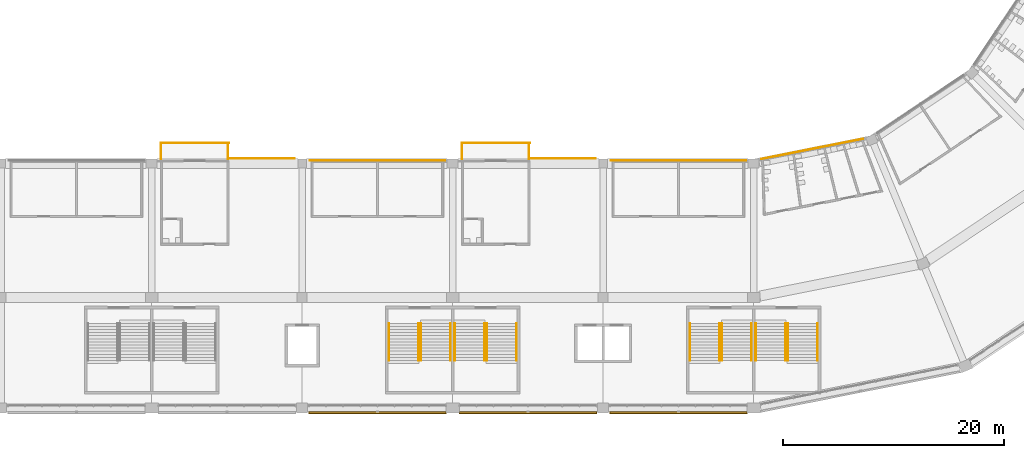
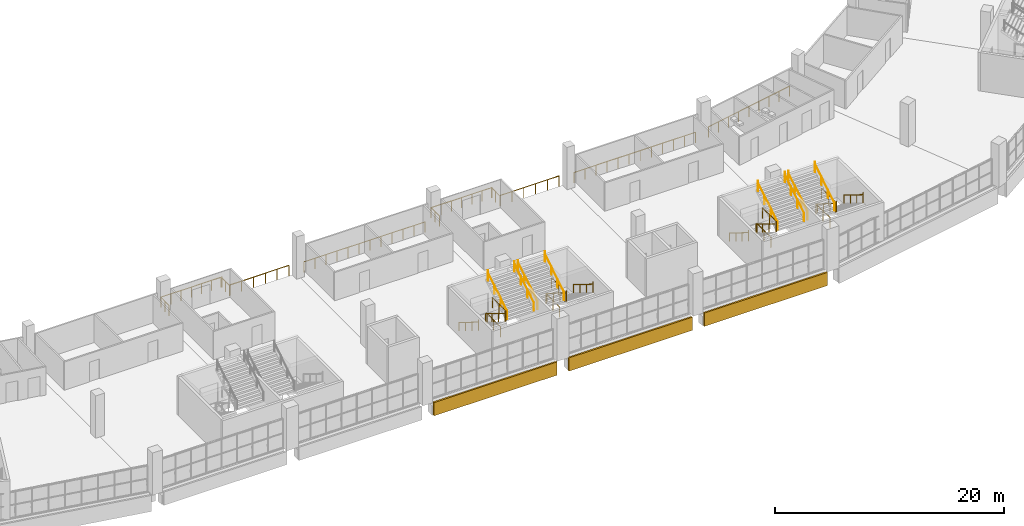
# One storey, part 185 of 199: 35 railings, 3 coverings.
"""IFC4 building model written with IfcOpenShell, lengths in metres."""

from ifc_helpers import new_model, si_unit, direction, frame, origin, origin_2d, place, context, subcontext, project, spatial, polyline, circle, outline, extrude, material, layer, layer_set, type_object, element, save


model = new_model("IFC4")

# Units and contexts
model_context = context("Model", 3, precision=1e-05, world=origin(), true_north=direction((0.0, 1.0)))
body_context = subcontext(model_context, "Body", "Model", "MODEL_VIEW")
ifc_project = project(units=[si_unit("LENGTHUNIT", "METRE"), si_unit("AREAUNIT", "SQUARE_METRE"), si_unit("VOLUMEUNIT", "CUBIC_METRE"), si_unit("PLANEANGLEUNIT", "RADIAN"), si_unit("MASSUNIT", "GRAM", prefix="KILO")], contexts=[model_context])

# Site, building, storey
site_placement = place(None, origin())
site = spatial("IfcSite", under=ifc_project, at=site_placement, CompositionType="ELEMENT")
building_placement = place(site_placement, origin())
building = spatial("IfcBuilding", under=site, at=building_placement, Name="Ogive Plaza Stadium", CompositionType="ELEMENT")
storey_placement = place(building_placement, frame((0.0, 0.0, 9.0)))
storey = spatial("IfcBuildingStorey", under=building, at=storey_placement, Name="L02", CompositionType="ELEMENT", Elevation=9.0)

# Railings
ifc_material_1 = material(Name="Steel ASTM A572 Grade 50", Category="steel")
railing_type_1 = type_object("IfcRailingType", Name="Guard 1100", PredefinedType="GUARDRAIL", material=ifc_material_1)
for number, where, name in (
    (1, (31.02490234375, -94.85009765625, 0.0), "Stair well guard ST12A L02"),
    (2, (31.02490234375, -95.81005859375, 2.25), "Stair well guard ST12A L02"),
    (3, (36.97509765625, -94.85009765625, 0.0), "Stair well guard ST12B L02"),
    (4, (36.97509765625, -95.81005859375, 2.25), "Stair well guard ST12B L02"),
    (5, (3.824951171875, -94.85009765625, 0.0), "Stair well guard ST14A L02"),
    (6, (3.824951171875, -95.81005859375, 2.25), "Stair well guard ST14A L02"),
    (7, (9.77490234375, -94.85009765625, 0.0), "Stair well guard ST14B L02"),
    (8, (9.77490234375, -95.81005859375, 2.25), "Stair well guard ST14B L02"),
):
    element("IfcRailing", number, at=place(storey_placement, frame(where)), inside=storey, type_object=railing_type_1, Name=name, PredefinedType="GUARDRAIL", context=body_context, shape_type="SweptSolid", body=[
        extrude(circle(Radius=0.02392578125, at=origin_2d()), frame((0.0, 0.0, 1.076171875), z_axis=(0.0, -1.0, 0.0), x_axis=(1.0, 0.0, 0.0)), (0.0, 0.0, 1.0), 2.39990234375),
        extrude(circle(Radius=0.02099609375, at=origin_2d()), origin(), (0.0, 0.0, 1.0), 1.052001953125),
        extrude(circle(Radius=0.02099609375, at=origin_2d()), frame((0.0, -1.199951171875, 0.0)), (0.0, 0.0, 1.0), 1.052001953125),
        extrude(circle(Radius=0.02099609375, at=origin_2d()), frame((0.0, -2.39990234375, 0.0)), (0.0, 0.0, 1.0), 1.052001953125),
    ])
railing_1_placement = place(storey_placement, frame((43.89453125, -78.181884765625, 0.0)))
element("IfcRailing", 9, at=railing_1_placement, inside=storey, type_object=railing_type_1, Name="Guard L02 B11", PredefinedType="GUARDRAIL", context=body_context, shape_type="SweptSolid", body=[
    extrude(circle(Radius=0.02392578125, at=origin_2d()), frame((0.0, 0.0, 1.076171875), z_axis=(-0.980786170296, -0.19508584817, 0.0), x_axis=(0.19508584817, -0.980786170296, 0.0)), (0.0, 0.0, 1.0), 9.388427734375),
    extrude(circle(Radius=0.02099609375, at=origin_2d()), origin(), (0.0, 0.0, 1.0), 1.052001953125),
    extrude(circle(Radius=0.02099609375, at=origin_2d()), frame((-1.15087890625, -0.22900390625, 0.0)), (0.0, 0.0, 1.0), 1.052001953125),
    extrude(circle(Radius=0.02099609375, at=origin_2d()), frame((-2.302001953125, -0.4580078125, 0.0)), (0.0, 0.0, 1.0), 1.052001953125),
    extrude(circle(Radius=0.02099609375, at=origin_2d()), frame((-3.453125, -0.686767578125, 0.0)), (0.0, 0.0, 1.0), 1.052001953125),
    extrude(circle(Radius=0.02099609375, at=origin_2d()), frame((-4.60400390625, -0.915771484375, 0.0)), (0.0, 0.0, 1.0), 1.052001953125),
    extrude(circle(Radius=0.02099609375, at=origin_2d()), frame((-5.7548828125, -1.144775390625, 0.0)), (0.0, 0.0, 1.0), 1.052001953125),
    extrude(circle(Radius=0.02099609375, at=origin_2d()), frame((-6.906005859375, -1.37353515625, 0.0)), (0.0, 0.0, 1.0), 1.052001953125),
    extrude(circle(Radius=0.02099609375, at=origin_2d()), frame((-8.05712890625, -1.6025390625, 0.0)), (0.0, 0.0, 1.0), 1.052001953125),
    extrude(circle(Radius=0.02099609375, at=origin_2d()), frame((-9.2080078125, -1.83154296875, 0.0)), (0.0, 0.0, 1.0), 1.052001953125),
])
railing_2_placement = place(storey_placement, frame((33.300048828125, -80.14990234375, 0.0)))
element("IfcRailing", 10, at=railing_2_placement, inside=storey, type_object=railing_type_1, Name="Guard L02 B12", PredefinedType="GUARDRAIL", context=body_context, shape_type="SweptSolid", body=[
    extrude(circle(Radius=0.02392578125, at=origin_2d()), frame((0.0, 0.0, 1.076171875), z_axis=(-1.0, 0.0, 0.0), x_axis=(0.0, -1.0, 0.0)), (0.0, 0.0, 1.0), 12.199951171875),
    extrude(circle(Radius=0.02099609375, at=origin_2d()), origin(), (0.0, 0.0, 1.0), 1.052001953125),
    extrude(circle(Radius=0.02099609375, at=origin_2d()), frame((-1.109130859375, 0.0, 0.0)), (0.0, 0.0, 1.0), 1.052001953125),
    extrude(circle(Radius=0.02099609375, at=origin_2d()), frame((-2.21826171875, 0.0, 0.0)), (0.0, 0.0, 1.0), 1.052001953125),
    extrude(circle(Radius=0.02099609375, at=origin_2d()), frame((-3.3271484375, 0.0, 0.0)), (0.0, 0.0, 1.0), 1.052001953125),
    extrude(circle(Radius=0.02099609375, at=origin_2d()), frame((-4.436279296875, 0.0, 0.0)), (0.0, 0.0, 1.0), 1.052001953125),
    extrude(circle(Radius=0.02099609375, at=origin_2d()), frame((-5.54541015625, 0.0, 0.0)), (0.0, 0.0, 1.0), 1.052001953125),
    extrude(circle(Radius=0.02099609375, at=origin_2d()), frame((-6.654541015625, 0.0, 0.0)), (0.0, 0.0, 1.0), 1.052001953125),
    extrude(circle(Radius=0.02099609375, at=origin_2d()), frame((-7.763671875, 0.0, 0.0)), (0.0, 0.0, 1.0), 1.052001953125),
    extrude(circle(Radius=0.02099609375, at=origin_2d()), frame((-8.872802734375, 0.0, 0.0)), (0.0, 0.0, 1.0), 1.052001953125),
    extrude(circle(Radius=0.02099609375, at=origin_2d()), frame((-9.981689453125, 0.0, 0.0)), (0.0, 0.0, 1.0), 1.052001953125),
    extrude(circle(Radius=0.02099609375, at=origin_2d()), frame((-11.0908203125, 0.0, 0.0)), (0.0, 0.0, 1.0), 1.052001953125),
    extrude(circle(Radius=0.02099609375, at=origin_2d()), frame((-12.199951171875, 0.0, 0.0)), (0.0, 0.0, 1.0), 1.052001953125),
])
railing_3_placement = place(storey_placement, frame((6.10009765625, -80.14990234375, 0.0)))
element("IfcRailing", 11, at=railing_3_placement, inside=storey, type_object=railing_type_1, Name="Guard L02 B14", PredefinedType="GUARDRAIL", context=body_context, shape_type="SweptSolid", body=[
    extrude(circle(Radius=0.02392578125, at=origin_2d()), frame((0.0, 0.0, 1.076171875), z_axis=(-1.0, 0.0, 0.0), x_axis=(0.0, -1.0, 0.0)), (0.0, 0.0, 1.0), 12.2001953125),
    extrude(circle(Radius=0.02099609375, at=origin_2d()), origin(), (0.0, 0.0, 1.0), 1.052001953125),
    extrude(circle(Radius=0.02099609375, at=origin_2d()), frame((-1.109130859375, 0.0, 0.0)), (0.0, 0.0, 1.0), 1.052001953125),
    extrude(circle(Radius=0.02099609375, at=origin_2d()), frame((-2.21826171875, 0.0, 0.0)), (0.0, 0.0, 1.0), 1.052001953125),
    extrude(circle(Radius=0.02099609375, at=origin_2d()), frame((-3.327392578125, 0.0, 0.0)), (0.0, 0.0, 1.0), 1.052001953125),
    extrude(circle(Radius=0.02099609375, at=origin_2d()), frame((-4.4365234375, 0.0, 0.0)), (0.0, 0.0, 1.0), 1.052001953125),
    extrude(circle(Radius=0.02099609375, at=origin_2d()), frame((-5.545654296875, 0.0, 0.0)), (0.0, 0.0, 1.0), 1.052001953125),
    extrude(circle(Radius=0.02099609375, at=origin_2d()), frame((-6.654541015625, 0.0, 0.0)), (0.0, 0.0, 1.0), 1.052001953125),
    extrude(circle(Radius=0.02099609375, at=origin_2d()), frame((-7.763671875, 0.0, 0.0)), (0.0, 0.0, 1.0), 1.052001953125),
    extrude(circle(Radius=0.02099609375, at=origin_2d()), frame((-8.872802734375, 0.0, 0.0)), (0.0, 0.0, 1.0), 1.052001953125),
    extrude(circle(Radius=0.02099609375, at=origin_2d()), frame((-9.98193359375, 0.0, 0.0)), (0.0, 0.0, 1.0), 1.052001953125),
    extrude(circle(Radius=0.02099609375, at=origin_2d()), frame((-11.091064453125, 0.0, 0.0)), (0.0, 0.0, 1.0), 1.052001953125),
    extrude(circle(Radius=0.02099609375, at=origin_2d()), frame((-12.2001953125, 0.0, 0.0)), (0.0, 0.0, 1.0), 1.052001953125),
])
railing_4_placement = place(storey_placement, frame((7.625, -78.550048828125, 0.0)))
element("IfcRailing", 12, at=railing_4_placement, inside=storey, type_object=railing_type_1, Name="Terrace guard B13", PredefinedType="GUARDRAIL", context=body_context, shape_type="SweptSolid", body=[
    extrude(circle(Radius=0.02392578125, at=origin_2d()), frame((0.0, 0.0, 1.076171875), z_axis=(1.0, 0.0, 0.0), x_axis=(0.0, 1.0, 0.0)), (0.0, 0.0, 1.0), 6.14990234375),
    extrude(circle(Radius=0.02099609375, at=origin_2d()), origin(), (0.0, 0.0, 1.0), 1.052001953125),
    extrude(circle(Radius=0.02099609375, at=origin_2d()), frame((1.02490234375, 0.0, 0.0)), (0.0, 0.0, 1.0), 1.052001953125),
    extrude(circle(Radius=0.02099609375, at=origin_2d()), frame((2.050048828125, 0.0, 0.0)), (0.0, 0.0, 1.0), 1.052001953125),
    extrude(circle(Radius=0.02099609375, at=origin_2d()), frame((3.074951171875, 0.0, 0.0)), (0.0, 0.0, 1.0), 1.052001953125),
    extrude(circle(Radius=0.02099609375, at=origin_2d()), frame((4.099853515625, 0.0, 0.0)), (0.0, 0.0, 1.0), 1.052001953125),
    extrude(circle(Radius=0.02099609375, at=origin_2d()), frame((5.125, 0.0, 0.0)), (0.0, 0.0, 1.0), 1.052001953125),
    extrude(circle(Radius=0.02099609375, at=origin_2d()), frame((6.14990234375, 0.0, 0.0)), (0.0, 0.0, 1.0), 1.052001953125),
])
railing_5_placement = place(storey_placement, frame((13.77490234375, -79.949951171875, 0.0)))
element("IfcRailing", 13, at=railing_5_placement, inside=storey, type_object=railing_type_1, Name="Floor edge guard B13", PredefinedType="GUARDRAIL", context=body_context, shape_type="SweptSolid", body=[
    extrude(circle(Radius=0.02392578125, at=origin_2d()), frame((0.0, 0.0, 1.076171875), z_axis=(1.0, 0.0, 0.0), x_axis=(0.0, 1.0, 0.0)), (0.0, 0.0, 1.0), 5.925048828125),
    extrude(circle(Radius=0.02099609375, at=origin_2d()), origin(), (0.0, 0.0, 1.0), 1.052001953125),
    extrude(circle(Radius=0.02099609375, at=origin_2d()), frame((1.18505859375, 0.0, 0.0)), (0.0, 0.0, 1.0), 1.052001953125),
    extrude(circle(Radius=0.02099609375, at=origin_2d()), frame((2.3701171875, 0.0, 0.0)), (0.0, 0.0, 1.0), 1.052001953125),
    extrude(circle(Radius=0.02099609375, at=origin_2d()), frame((3.554931640625, 0.0, 0.0)), (0.0, 0.0, 1.0), 1.052001953125),
    extrude(circle(Radius=0.02099609375, at=origin_2d()), frame((4.739990234375, 0.0, 0.0)), (0.0, 0.0, 1.0), 1.052001953125),
    extrude(circle(Radius=0.02099609375, at=origin_2d()), frame((5.925048828125, 0.0, 0.0)), (0.0, 0.0, 1.0), 1.052001953125),
])
for number, where, name in (
    (14, (7.625, -78.550048828125, 0.0), "Terrace screen B13"),
    (15, (13.699951171875, -78.550048828125, 0.0), "Terrace screen B13"),
):
    element("IfcRailing", number, at=place(storey_placement, frame(where)), inside=storey, type_object=railing_type_1, Name=name, PredefinedType="GUARDRAIL", context=body_context, shape_type="SweptSolid", body=[
        extrude(circle(Radius=0.02392578125, at=origin_2d()), frame((0.0, 0.0, 1.076171875), z_axis=(0.0, -1.0, 0.0), x_axis=(1.0, 0.0, 0.0)), (0.0, 0.0, 1.0), 1.449951171875),
        extrude(circle(Radius=0.02099609375, at=origin_2d()), origin(), (0.0, 0.0, 1.0), 1.052001953125),
        extrude(circle(Radius=0.02099609375, at=origin_2d()), frame((0.0, -0.72509765625, 0.0)), (0.0, 0.0, 1.0), 1.052001953125),
        extrude(circle(Radius=0.02099609375, at=origin_2d()), frame((0.0, -1.449951171875, 0.0)), (0.0, 0.0, 1.0), 1.052001953125),
    ])
railing_6_placement = place(storey_placement, frame((-19.574951171875, -78.550048828125, 0.0)))
element("IfcRailing", 16, at=railing_6_placement, inside=storey, type_object=railing_type_1, Name="Terrace guard B15", PredefinedType="GUARDRAIL", context=body_context, shape_type="SweptSolid", body=[
    extrude(circle(Radius=0.02392578125, at=origin_2d()), frame((0.0, 0.0, 1.076171875), z_axis=(1.0, 0.0, 0.0), x_axis=(0.0, 1.0, 0.0)), (0.0, 0.0, 1.0), 6.14990234375),
    extrude(circle(Radius=0.02099609375, at=origin_2d()), origin(), (0.0, 0.0, 1.0), 1.052001953125),
    extrude(circle(Radius=0.02099609375, at=origin_2d()), frame((1.02490234375, 0.0, 0.0)), (0.0, 0.0, 1.0), 1.052001953125),
    extrude(circle(Radius=0.02099609375, at=origin_2d()), frame((2.050048828125, 0.0, 0.0)), (0.0, 0.0, 1.0), 1.052001953125),
    extrude(circle(Radius=0.02099609375, at=origin_2d()), frame((3.074951171875, 0.0, 0.0)), (0.0, 0.0, 1.0), 1.052001953125),
    extrude(circle(Radius=0.02099609375, at=origin_2d()), frame((4.099853515625, 0.0, 0.0)), (0.0, 0.0, 1.0), 1.052001953125),
    extrude(circle(Radius=0.02099609375, at=origin_2d()), frame((5.125, 0.0, 0.0)), (0.0, 0.0, 1.0), 1.052001953125),
    extrude(circle(Radius=0.02099609375, at=origin_2d()), frame((6.14990234375, 0.0, 0.0)), (0.0, 0.0, 1.0), 1.052001953125),
])
railing_7_placement = place(storey_placement, frame((-13.425048828125, -79.949951171875, 0.0)))
element("IfcRailing", 17, at=railing_7_placement, inside=storey, type_object=railing_type_1, Name="Floor edge guard B15", PredefinedType="GUARDRAIL", context=body_context, shape_type="SweptSolid", body=[
    extrude(circle(Radius=0.02392578125, at=origin_2d()), frame((0.0, 0.0, 1.076171875), z_axis=(1.0, 0.0, 0.0), x_axis=(0.0, 1.0, 0.0)), (0.0, 0.0, 1.0), 5.925048828125),
    extrude(circle(Radius=0.02099609375, at=origin_2d()), origin(), (0.0, 0.0, 1.0), 1.052001953125),
    extrude(circle(Radius=0.02099609375, at=origin_2d()), frame((1.18505859375, 0.0, 0.0)), (0.0, 0.0, 1.0), 1.052001953125),
    extrude(circle(Radius=0.02099609375, at=origin_2d()), frame((2.3701171875, 0.0, 0.0)), (0.0, 0.0, 1.0), 1.052001953125),
    extrude(circle(Radius=0.02099609375, at=origin_2d()), frame((3.554931640625, 0.0, 0.0)), (0.0, 0.0, 1.0), 1.052001953125),
    extrude(circle(Radius=0.02099609375, at=origin_2d()), frame((4.739990234375, 0.0, 0.0)), (0.0, 0.0, 1.0), 1.052001953125),
    extrude(circle(Radius=0.02099609375, at=origin_2d()), frame((5.925048828125, 0.0, 0.0)), (0.0, 0.0, 1.0), 1.052001953125),
])
for number, where, name in (
    (18, (-19.574951171875, -78.550048828125, 0.0), "Terrace screen B15"),
    (19, (-13.5, -78.550048828125, 0.0), "Terrace screen B15"),
):
    element("IfcRailing", number, at=place(storey_placement, frame(where)), inside=storey, type_object=railing_type_1, Name=name, PredefinedType="GUARDRAIL", context=body_context, shape_type="SweptSolid", body=[
        extrude(circle(Radius=0.02392578125, at=origin_2d()), frame((0.0, 0.0, 1.076171875), z_axis=(0.0, -1.0, 0.0), x_axis=(1.0, 0.0, 0.0)), (0.0, 0.0, 1.0), 1.449951171875),
        extrude(circle(Radius=0.02099609375, at=origin_2d()), origin(), (0.0, 0.0, 1.0), 1.052001953125),
        extrude(circle(Radius=0.02099609375, at=origin_2d()), frame((0.0, -0.72509765625, 0.0)), (0.0, 0.0, 1.0), 1.052001953125),
        extrude(circle(Radius=0.02099609375, at=origin_2d()), frame((0.0, -1.449951171875, 0.0)), (0.0, 0.0, 1.0), 1.052001953125),
    ])
ifc_material_2 = material(Name="Steel ASTM A572 Grade 50", Category="steel")
railing_type_2 = type_object("IfcRailingType", Name="Handrail 900", PredefinedType="HANDRAIL", material=ifc_material_2)
for number, where, name in (
    (20, (28.235107421875, -94.85009765625, 0.173095703125), "Handrail ST12A L02"),
    (21, (30.9150390625, -94.85009765625, 0.173095703125), "Handrail ST12A L02"),
):
    element("IfcRailing", number, at=place(storey_placement, frame(where)), inside=storey, type_object=railing_type_2, Name=name, PredefinedType="HANDRAIL", context=body_context, shape_type="SweptSolid", body=[
        extrude(circle(Radius=0.02392578125, at=origin_2d()), frame((0.0, 0.0, 0.8759765625), z_axis=(0.0, -0.850606129759, 0.525803396734), x_axis=(1.0, 0.0, 0.0)), (0.0, 0.0, 1.0), 3.949951171875),
        extrude(circle(Radius=0.02099609375, at=origin_2d()), origin(), (0.0, 0.0, 1.0), 0.851806640625),
        extrude(circle(Radius=0.02099609375, at=origin_2d()), frame((0.0, -1.119873046875, 0.6923828125)), (0.0, 0.0, 1.0), 0.851806640625),
        extrude(circle(Radius=0.02099609375, at=origin_2d()), frame((0.0, -2.239990234375, 1.384521484375)), (0.0, 0.0, 1.0), 0.851806640625),
        extrude(circle(Radius=0.02099609375, at=origin_2d()), frame((0.0, -3.35986328125, 2.076904296875)), (0.0, 0.0, 1.0), 1.10009765625),
    ])
for number, where, name in (
    (22, (31.135009765625, -98.2099609375, 2.423095703125), "Handrail ST12A L02"),
    (23, (33.81494140625, -98.2099609375, 2.423095703125), "Handrail ST12A L02"),
):
    element("IfcRailing", number, at=place(storey_placement, frame(where)), inside=storey, type_object=railing_type_2, Name=name, PredefinedType="HANDRAIL", context=body_context, shape_type="SweptSolid", body=[
        extrude(circle(Radius=0.02392578125, at=origin_2d()), frame((0.0, 0.0, 0.8759765625), z_axis=(0.0, 0.850606129759, 0.525803396734), x_axis=(-1.0, 0.0, 0.0)), (0.0, 0.0, 1.0), 3.949951171875),
        extrude(circle(Radius=0.02099609375, at=origin_2d()), origin(), (0.0, 0.0, 1.0), 0.851806640625),
        extrude(circle(Radius=0.02099609375, at=origin_2d()), frame((0.0, 1.119873046875, 0.6923828125)), (0.0, 0.0, 1.0), 0.851806640625),
        extrude(circle(Radius=0.02099609375, at=origin_2d()), frame((0.0, 2.239990234375, 1.384521484375)), (0.0, 0.0, 1.0), 0.851806640625),
        extrude(circle(Radius=0.02099609375, at=origin_2d()), frame((0.0, 3.35986328125, 2.076904296875)), (0.0, 0.0, 1.0), 1.10009765625),
    ])
for number, where, name in (
    (24, (37.0849609375, -94.85009765625, 0.173095703125), "Handrail ST12B L02"),
    (25, (39.764892578125, -94.85009765625, 0.173095703125), "Handrail ST12B L02"),
):
    element("IfcRailing", number, at=place(storey_placement, frame(where)), inside=storey, type_object=railing_type_2, Name=name, PredefinedType="HANDRAIL", context=body_context, shape_type="SweptSolid", body=[
        extrude(circle(Radius=0.02392578125, at=origin_2d()), frame((0.0, 0.0, 0.8759765625), z_axis=(0.0, -0.850606129759, 0.525803396734), x_axis=(1.0, 0.0, 0.0)), (0.0, 0.0, 1.0), 3.949951171875),
        extrude(circle(Radius=0.02099609375, at=origin_2d()), origin(), (0.0, 0.0, 1.0), 0.851806640625),
        extrude(circle(Radius=0.02099609375, at=origin_2d()), frame((0.0, -1.119873046875, 0.6923828125)), (0.0, 0.0, 1.0), 0.851806640625),
        extrude(circle(Radius=0.02099609375, at=origin_2d()), frame((0.0, -2.239990234375, 1.384521484375)), (0.0, 0.0, 1.0), 0.851806640625),
        extrude(circle(Radius=0.02099609375, at=origin_2d()), frame((0.0, -3.35986328125, 2.076904296875)), (0.0, 0.0, 1.0), 1.10009765625),
    ])
for number, where, name in (
    (26, (34.18505859375, -98.2099609375, 2.423095703125), "Handrail ST12B L02"),
    (27, (36.864990234375, -98.2099609375, 2.423095703125), "Handrail ST12B L02"),
):
    element("IfcRailing", number, at=place(storey_placement, frame(where)), inside=storey, type_object=railing_type_2, Name=name, PredefinedType="HANDRAIL", context=body_context, shape_type="SweptSolid", body=[
        extrude(circle(Radius=0.02392578125, at=origin_2d()), frame((0.0, 0.0, 0.8759765625), z_axis=(0.0, 0.850606129759, 0.525803396734), x_axis=(-1.0, 0.0, 0.0)), (0.0, 0.0, 1.0), 3.949951171875),
        extrude(circle(Radius=0.02099609375, at=origin_2d()), origin(), (0.0, 0.0, 1.0), 0.851806640625),
        extrude(circle(Radius=0.02099609375, at=origin_2d()), frame((0.0, 1.119873046875, 0.6923828125)), (0.0, 0.0, 1.0), 0.851806640625),
        extrude(circle(Radius=0.02099609375, at=origin_2d()), frame((0.0, 2.239990234375, 1.384521484375)), (0.0, 0.0, 1.0), 0.851806640625),
        extrude(circle(Radius=0.02099609375, at=origin_2d()), frame((0.0, 3.35986328125, 2.076904296875)), (0.0, 0.0, 1.0), 1.10009765625),
    ])
for number, where, name in (
    (28, (1.034912109375, -94.85009765625, 0.173095703125), "Handrail ST14A L02"),
    (29, (3.715087890625, -94.85009765625, 0.173095703125), "Handrail ST14A L02"),
):
    element("IfcRailing", number, at=place(storey_placement, frame(where)), inside=storey, type_object=railing_type_2, Name=name, PredefinedType="HANDRAIL", context=body_context, shape_type="SweptSolid", body=[
        extrude(circle(Radius=0.02392578125, at=origin_2d()), frame((0.0, 0.0, 0.8759765625), z_axis=(0.0, -0.850606129759, 0.525803396734), x_axis=(1.0, 0.0, 0.0)), (0.0, 0.0, 1.0), 3.949951171875),
        extrude(circle(Radius=0.02099609375, at=origin_2d()), origin(), (0.0, 0.0, 1.0), 0.851806640625),
        extrude(circle(Radius=0.02099609375, at=origin_2d()), frame((0.0, -1.119873046875, 0.6923828125)), (0.0, 0.0, 1.0), 0.851806640625),
        extrude(circle(Radius=0.02099609375, at=origin_2d()), frame((0.0, -2.239990234375, 1.384521484375)), (0.0, 0.0, 1.0), 0.851806640625),
        extrude(circle(Radius=0.02099609375, at=origin_2d()), frame((0.0, -3.35986328125, 2.076904296875)), (0.0, 0.0, 1.0), 1.10009765625),
    ])
for number, where, name in (
    (30, (3.93505859375, -98.2099609375, 2.423095703125), "Handrail ST14A L02"),
    (31, (6.614990234375, -98.2099609375, 2.423095703125), "Handrail ST14A L02"),
):
    element("IfcRailing", number, at=place(storey_placement, frame(where)), inside=storey, type_object=railing_type_2, Name=name, PredefinedType="HANDRAIL", context=body_context, shape_type="SweptSolid", body=[
        extrude(circle(Radius=0.02392578125, at=origin_2d()), frame((0.0, 0.0, 0.8759765625), z_axis=(0.0, 0.850606129759, 0.525803396734), x_axis=(-1.0, 0.0, 0.0)), (0.0, 0.0, 1.0), 3.949951171875),
        extrude(circle(Radius=0.02099609375, at=origin_2d()), origin(), (0.0, 0.0, 1.0), 0.851806640625),
        extrude(circle(Radius=0.02099609375, at=origin_2d()), frame((0.0, 1.119873046875, 0.6923828125)), (0.0, 0.0, 1.0), 0.851806640625),
        extrude(circle(Radius=0.02099609375, at=origin_2d()), frame((0.0, 2.239990234375, 1.384521484375)), (0.0, 0.0, 1.0), 0.851806640625),
        extrude(circle(Radius=0.02099609375, at=origin_2d()), frame((0.0, 3.35986328125, 2.076904296875)), (0.0, 0.0, 1.0), 1.10009765625),
    ])
for number, where, name in (
    (32, (9.885009765625, -94.85009765625, 0.173095703125), "Handrail ST14B L02"),
    (33, (12.56494140625, -94.85009765625, 0.173095703125), "Handrail ST14B L02"),
):
    element("IfcRailing", number, at=place(storey_placement, frame(where)), inside=storey, type_object=railing_type_2, Name=name, PredefinedType="HANDRAIL", context=body_context, shape_type="SweptSolid", body=[
        extrude(circle(Radius=0.02392578125, at=origin_2d()), frame((0.0, 0.0, 0.8759765625), z_axis=(0.0, -0.850606129759, 0.525803396734), x_axis=(1.0, 0.0, 0.0)), (0.0, 0.0, 1.0), 3.949951171875),
        extrude(circle(Radius=0.02099609375, at=origin_2d()), origin(), (0.0, 0.0, 1.0), 0.851806640625),
        extrude(circle(Radius=0.02099609375, at=origin_2d()), frame((0.0, -1.119873046875, 0.6923828125)), (0.0, 0.0, 1.0), 0.851806640625),
        extrude(circle(Radius=0.02099609375, at=origin_2d()), frame((0.0, -2.239990234375, 1.384521484375)), (0.0, 0.0, 1.0), 0.851806640625),
        extrude(circle(Radius=0.02099609375, at=origin_2d()), frame((0.0, -3.35986328125, 2.076904296875)), (0.0, 0.0, 1.0), 1.10009765625),
    ])
for number, where, name in (
    (34, (6.985107421875, -98.2099609375, 2.423095703125), "Handrail ST14B L02"),
    (35, (9.6650390625, -98.2099609375, 2.423095703125), "Handrail ST14B L02"),
):
    element("IfcRailing", number, at=place(storey_placement, frame(where)), inside=storey, type_object=railing_type_2, Name=name, PredefinedType="HANDRAIL", context=body_context, shape_type="SweptSolid", body=[
        extrude(circle(Radius=0.02392578125, at=origin_2d()), frame((0.0, 0.0, 0.8759765625), z_axis=(0.0, 0.850606129759, 0.525803396734), x_axis=(-1.0, 0.0, 0.0)), (0.0, 0.0, 1.0), 3.949951171875),
        extrude(circle(Radius=0.02099609375, at=origin_2d()), origin(), (0.0, 0.0, 1.0), 0.851806640625),
        extrude(circle(Radius=0.02099609375, at=origin_2d()), frame((0.0, 1.119873046875, 0.6923828125)), (0.0, 0.0, 1.0), 0.851806640625),
        extrude(circle(Radius=0.02099609375, at=origin_2d()), frame((0.0, 2.239990234375, 1.384521484375)), (0.0, 0.0, 1.0), 0.851806640625),
        extrude(circle(Radius=0.02099609375, at=origin_2d()), frame((0.0, 3.35986328125, 2.076904296875)), (0.0, 0.0, 1.0), 1.10009765625),
    ])

# Coverings
ifc_material_3 = material(Name="Cast stone (reconstituted limestone)", Category="masonry")
ifc_layer = layer(ifc_material_3, 0.159912109375)
ifc_layer_set = layer_set([ifc_layer], Name="Precast spandrel cladding 160")
covering_type = type_object("IfcCoveringType", Name="Precast spandrel cladding 160", PredefinedType="CLADDING", material=ifc_layer_set)
covering_1_placement = place(storey_placement, frame((0.0, 0.0, -1.409912109375)))
element("IfcCovering", 36, at=covering_1_placement, inside=storey, type_object=covering_type, Name="SPANDREL CLADDING B12 L02", PredefinedType="CLADDING", context=body_context, shape_type="SweptSolid", body=[
    extrude(outline(polyline([(33.39990234375, -102.85009765625), (21.0, -102.85009765625), (21.0, -103.010009765625), (33.39990234375, -103.010009765625), (33.39990234375, -102.85009765625)])), origin(), (0.0, 0.0, 1.0), 1.409912109375),
])
covering_2_placement = place(storey_placement, frame((0.0, 0.0, -1.409912109375)))
element("IfcCovering", 37, at=covering_2_placement, inside=storey, type_object=covering_type, Name="SPANDREL CLADDING B13 L02", PredefinedType="CLADDING", context=body_context, shape_type="SweptSolid", body=[
    extrude(outline(polyline([(19.800048828125, -102.85009765625), (7.39990234375, -102.85009765625), (7.39990234375, -103.010009765625), (19.800048828125, -103.010009765625), (19.800048828125, -102.85009765625)])), origin(), (0.0, 0.0, 1.0), 1.409912109375),
])
covering_3_placement = place(storey_placement, frame((0.0, 0.0, -1.409912109375)))
element("IfcCovering", 38, at=covering_3_placement, inside=storey, type_object=covering_type, Name="SPANDREL CLADDING B14 L02", PredefinedType="CLADDING", context=body_context, shape_type="SweptSolid", body=[
    extrude(outline(polyline([(6.199951171875, -102.85009765625), (-6.199951171875, -102.85009765625), (-6.199951171875, -103.010009765625), (6.199951171875, -103.010009765625), (6.199951171875, -102.85009765625)])), origin(), (0.0, 0.0, 1.0), 1.409912109375),
])

save(model, "model.ifc")
